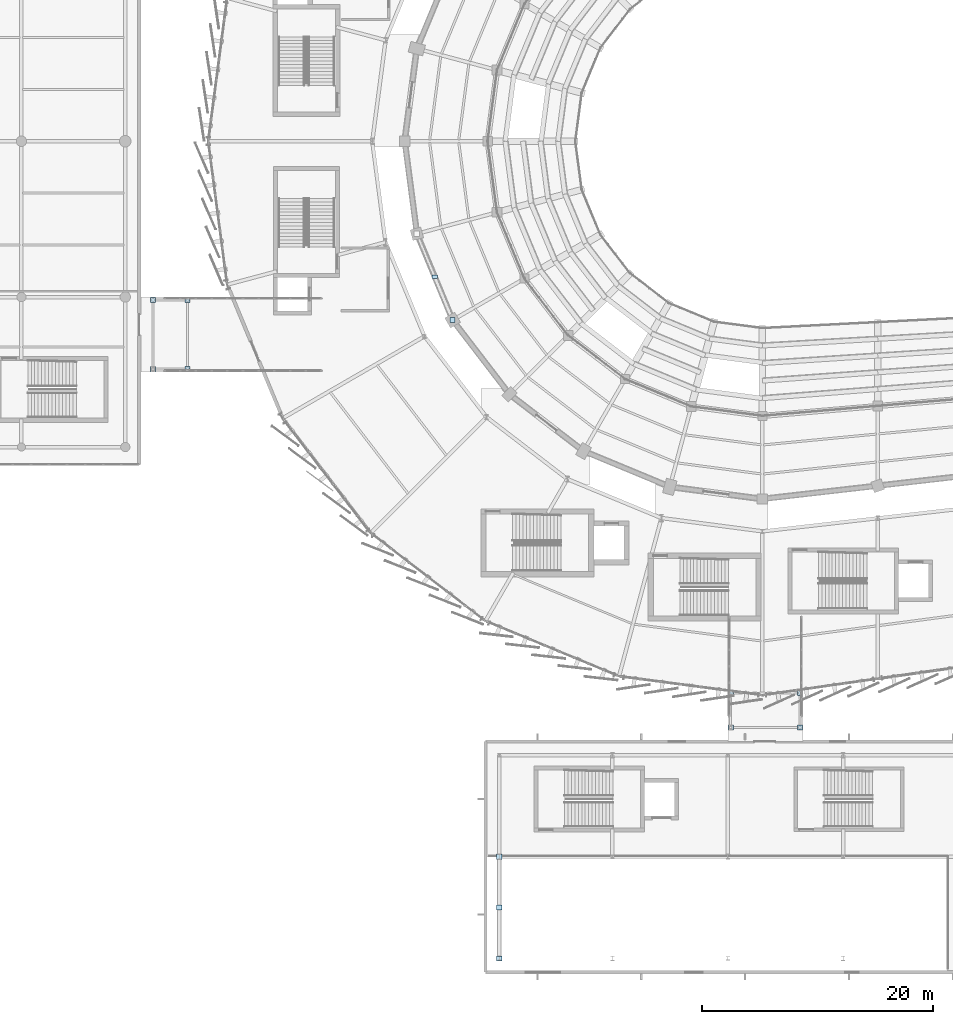
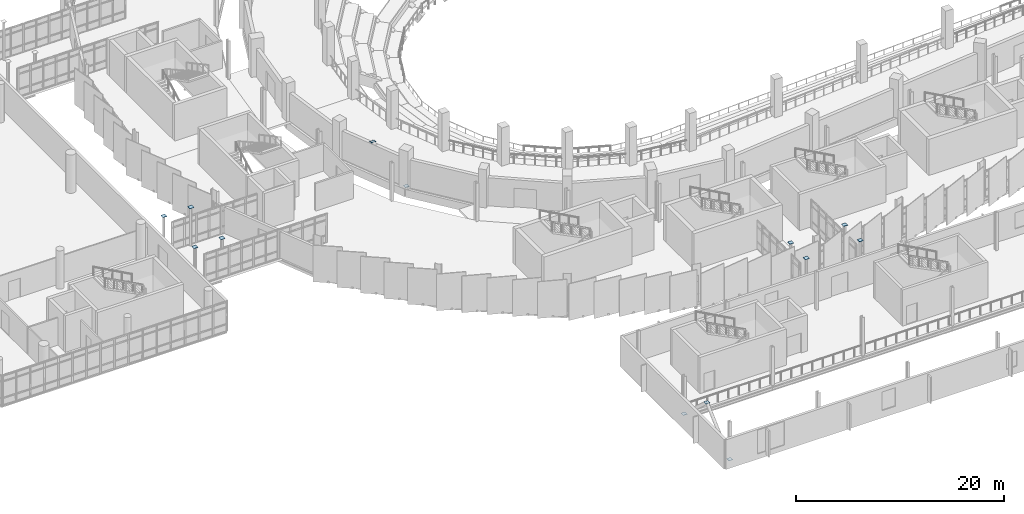
# One storey, part 103 of 134: 13 plates.
"""IFC4 building model written with IfcOpenShell, lengths in metres."""

from ifc_helpers import new_model, si_unit, direction, frame, origin, origin_2d, place, context, subcontext, project, spatial, rectangle, extrude, material, layer, layer_set, type_object, element, save


model = new_model("IFC4")

# Units and contexts
model_context = context("Model", 3, precision=1e-05, world=origin(), true_north=direction((0.0, 1.0)))
body_context = subcontext(model_context, "Body", "Model", "MODEL_VIEW")
ifc_project = project(units=[si_unit("LENGTHUNIT", "METRE"), si_unit("AREAUNIT", "SQUARE_METRE"), si_unit("VOLUMEUNIT", "CUBIC_METRE"), si_unit("PLANEANGLEUNIT", "RADIAN"), si_unit("MASSUNIT", "GRAM", prefix="KILO")], contexts=[model_context])

# Site, building, storey
site_placement = place(None, origin())
site = spatial("IfcSite", under=ifc_project, at=site_placement, CompositionType="ELEMENT")
building_placement = place(site_placement, origin())
building = spatial("IfcBuilding", under=site, at=building_placement, Name="Sohan Crest Arena", CompositionType="ELEMENT")
storey_placement = place(building_placement, frame((0.0, 0.0, 4.5)))
storey = spatial("IfcBuildingStorey", under=building, at=storey_placement, Name="L01", CompositionType="ELEMENT", Elevation=4.5)

# Plates
ifc_material = material(Name="Steel S355", Category="steel")
ifc_layer_1 = layer(ifc_material, 0.031982421875, Name="Steel S355")
ifc_layer_set_1 = layer_set([ifc_layer_1], Name="Steel S355")
plate_type_1 = type_object("IfcPlateType", Name="STR-PL-BP01", PredefinedType="USERDEFINED", material=ifc_layer_set_1)
for number, where, z_axis, x_axis, name in (
    (1, (45.199951171875, 58.25, 4.487548828125), (0.0, 0.0, 1.0), (1.0, 0.0, 0.0), "Hollow section end cap plate ECP-0019"),
    (2, (48.199951171875, 58.25, 4.487548828125), (0.0, 0.0, 1.0), (1.0, 0.0, 0.0), "Hollow section end cap plate ECP-0024"),
    (3, (45.199951171875, 64.25, 4.487548828125), (0.0, 0.0, 1.0), (1.0, 0.0, 0.0), "Hollow section end cap plate ECP-0029"),
    (4, (48.199951171875, 64.25, 4.487548828125), (0.0, 0.0, 1.0), (1.0, 0.0, 0.0), "Hollow section end cap plate ECP-0034"),
    (5, (95.25, 27.199951171875, 4.487548828125), (0.0, 0.0, 1.0), (1.0, 0.0, 0.0), "Hollow section end cap plate ECP-0083"),
    (6, (95.25, 30.199951171875, 4.487548828125), (0.0, 0.0, 1.0), (1.0, 0.0, 0.0), "Hollow section end cap plate ECP-0087"),
    (7, (101.25, 27.199951171875, 4.487548828125), (0.0, 0.0, 1.0), (1.0, 0.0, 0.0), "Hollow section end cap plate ECP-0091"),
    (8, (101.25, 30.199951171875, 4.487548828125), (0.0, 0.0, 1.0), (1.0, 0.0, 0.0), "Hollow section end cap plate ECP-0095"),
    (9, (71.153076171875, 62.5, -0.012451171875), (0.0, 0.0, 1.0), (1.0, 0.0, 0.0), "Hollow section end cap plate ECP-0510"),
    (10, (75.199951171875, 7.199951171875, -0.012451171875), (0.0, 0.0, 1.0), (1.0, 0.0, 0.0), "Hollow section end cap plate ECP-0540"),
    (11, (75.199951171875, 11.60009765625, 3.987548828125), (0.0, 0.0, 1.0), (1.0, 0.0, 0.0), "Hollow section end cap plate ECP-0541"),
    (12, (75.199951171875, 16.0, -0.012451171875), (0.0, 0.0, 1.0), (1.0, 0.0, 0.0), "Hollow section end cap plate ECP-0542"),
):
    element("IfcPlate", number, at=place(storey_placement, frame(where, z_axis=z_axis, x_axis=x_axis)), inside=storey, type_object=plate_type_1, Name=name, ObjectType="BASE PLATE", PredefinedType="USERDEFINED", context=body_context, shape_type="SweptSolid", body=[
        extrude(rectangle(XDim=0.449951171875, YDim=0.449951171875, at=origin_2d()), origin(), (0.0, 0.0, 1.0), 0.02490234375),
    ])
ifc_layer_2 = layer(ifc_material, 0.01806640625, Name="Steel S355")
ifc_layer_set_2 = layer_set([ifc_layer_2], Name="Steel S355")
plate_type_2 = type_object("IfcPlateType", Name="STR-PL-SP03", PredefinedType="SHEET", material=ifc_layer_set_2)
plate_placement = place(storey_placement, frame((69.60498046875, 66.239013671875, 3.490966796875), z_axis=(0.0, 0.0, 1.0), x_axis=(1.0, 0.0, 0.0)))
element("IfcPlate", 13, at=plate_placement, inside=storey, type_object=plate_type_2, Name="Brace connection sheet plate SP-BR012", PredefinedType="SHEET", context=body_context, shape_type="SweptSolid", body=[
    extrude(rectangle(XDim=0.47998046875, YDim=0.300048828125, at=origin_2d()), origin(), (0.0, 0.0, 1.0), 0.01806640625),
])

save(model, "model.ifc")
